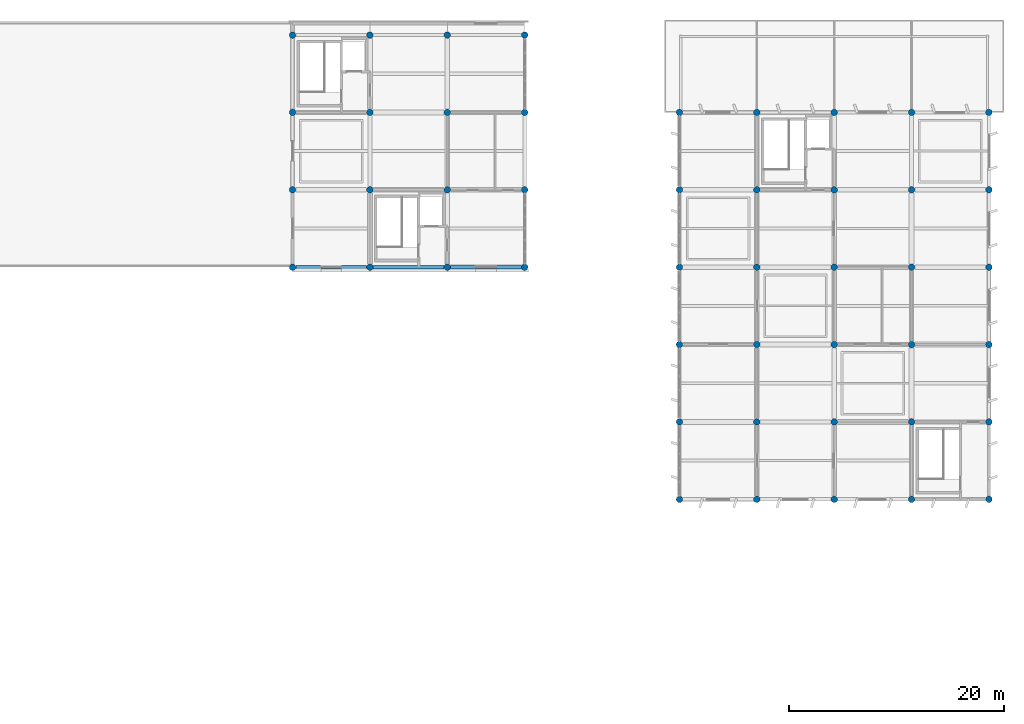
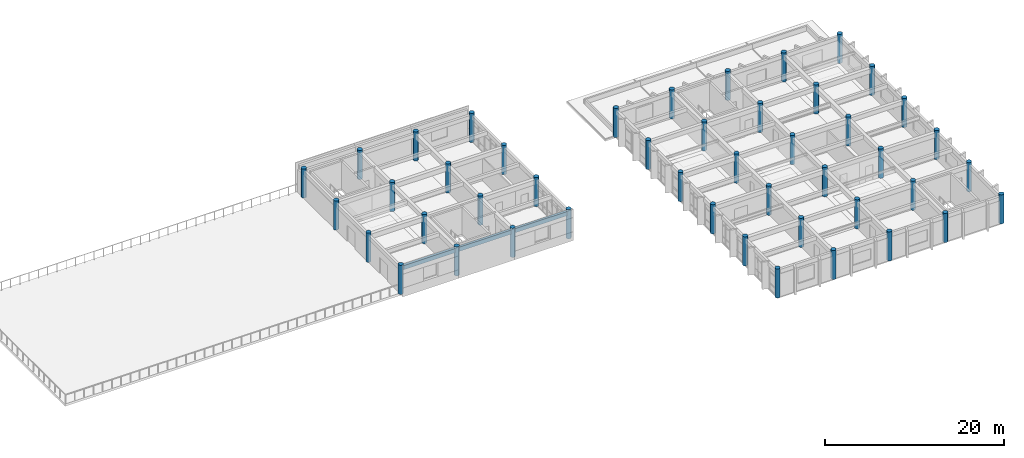
# One storey, part 1 of 16: 46 columns, 3 beams.
"""IFC4 building model written with IfcOpenShell, lengths in metres."""

from ifc_helpers import new_model, si_unit, direction, frame, origin, origin_2d, place, context, subcontext, project, spatial, rectangle, circle, extrude, material, material_profile, profile_set, type_object, element, save


model = new_model("IFC4")

# Units and contexts
model_context = context("Model", 3, precision=1e-05, world=origin(), true_north=direction((0.0, 1.0)))
body_context = subcontext(model_context, "Body", "Model", "MODEL_VIEW")
ifc_project = project(units=[si_unit("LENGTHUNIT", "METRE"), si_unit("AREAUNIT", "SQUARE_METRE"), si_unit("VOLUMEUNIT", "CUBIC_METRE"), si_unit("PLANEANGLEUNIT", "RADIAN"), si_unit("MASSUNIT", "GRAM", prefix="KILO")], contexts=[model_context])

# Site, building, storey
site_placement = place(None, origin())
site = spatial("IfcSite", under=ifc_project, at=site_placement, CompositionType="ELEMENT")
building_placement = place(site_placement, origin())
building = spatial("IfcBuilding", under=site, at=building_placement, Name="Kavelor Marine Aquarium", CompositionType="ELEMENT")
storey_placement = place(building_placement, frame((0.0, 0.0, 21.60009765625)))
storey = spatial("IfcBuildingStorey", under=building, at=storey_placement, Name="L05", CompositionType="ELEMENT", Elevation=21.60009765625)

# Columns
ifc_material_1 = material(Name="Concrete C40/50", Category="concrete")
ifc_material_profile_1 = material_profile(ifc_material_1, circle(Radius=0.300048828125, at=origin_2d()), Name="RC-COL D600")
ifc_profile_set_1 = profile_set([ifc_material_profile_1], Name="Concrete C40/50")
column_type = type_object("IfcColumnType", Name="COL-C8", PredefinedType="COLUMN", material=ifc_profile_set_1)
for number, where, z_axis, x_axis, name in (
    (1, (82.39990234375, 89.199951171875, 0.0), (0.0, 0.0, 1.0), (1.0, 0.0, 0.0), "col:L05:11_12"),
    (2, (82.39990234375, 96.39990234375, 0.0), (0.0, 0.0, 1.0), (1.0, 0.0, 0.0), "col:L05:11_13"),
    (3, (82.39990234375, 103.60009765625, 0.0), (0.0, 0.0, 1.0), (1.0, 0.0, 0.0), "col:L05:11_14"),
    (4, (82.39990234375, 110.800048828125, 0.0), (0.0, 0.0, 1.0), (1.0, 0.0, 0.0), "col:L05:11_15"),
    (5, (89.60009765625, 89.199951171875, 0.0), (0.0, 0.0, 1.0), (1.0, 0.0, 0.0), "col:L05:12_12"),
    (6, (89.60009765625, 96.39990234375, 0.0), (0.0, 0.0, 1.0), (1.0, 0.0, 0.0), "col:L05:12_13"),
    (7, (89.60009765625, 103.60009765625, 0.0), (0.0, 0.0, 1.0), (1.0, 0.0, 0.0), "col:L05:12_14"),
    (8, (89.60009765625, 110.800048828125, 0.0), (0.0, 0.0, 1.0), (1.0, 0.0, 0.0), "col:L05:12_15"),
    (9, (96.800048828125, 89.199951171875, 0.0), (0.0, 0.0, 1.0), (1.0, 0.0, 0.0), "col:L05:13_12"),
    (10, (96.800048828125, 96.39990234375, 0.0), (0.0, 0.0, 1.0), (1.0, 0.0, 0.0), "col:L05:13_13"),
    (11, (96.800048828125, 103.60009765625, 0.0), (0.0, 0.0, 1.0), (1.0, 0.0, 0.0), "col:L05:13_14"),
    (12, (96.800048828125, 110.800048828125, 0.0), (0.0, 0.0, 1.0), (1.0, 0.0, 0.0), "col:L05:13_15"),
    (13, (104.0, 89.199951171875, 0.0), (0.0, 0.0, 1.0), (1.0, 0.0, 0.0), "col:L05:14_12"),
    (14, (104.0, 96.39990234375, 0.0), (0.0, 0.0, 1.0), (1.0, 0.0, 0.0), "col:L05:14_13"),
    (15, (104.0, 103.60009765625, 0.0), (0.0, 0.0, 1.0), (1.0, 0.0, 0.0), "col:L05:14_14"),
    (16, (104.0, 110.800048828125, 0.0), (0.0, 0.0, 1.0), (1.0, 0.0, 0.0), "col:L05:14_15"),
    (17, (118.39990234375, 67.60009765625, 0.0), (0.0, 0.0, 1.0), (1.0, 0.0, 0.0), "col:L05:16_09"),
    (18, (118.39990234375, 74.800048828125, 0.0), (0.0, 0.0, 1.0), (1.0, 0.0, 0.0), "col:L05:16_10"),
    (19, (118.39990234375, 82.0, 0.0), (0.0, 0.0, 1.0), (1.0, 0.0, 0.0), "col:L05:16_11"),
    (20, (118.39990234375, 89.199951171875, 0.0), (0.0, 0.0, 1.0), (1.0, 0.0, 0.0), "col:L05:16_12"),
    (21, (118.39990234375, 96.39990234375, 0.0), (0.0, 0.0, 1.0), (1.0, 0.0, 0.0), "col:L05:16_13"),
    (22, (118.39990234375, 103.60009765625, 0.0), (0.0, 0.0, 1.0), (1.0, 0.0, 0.0), "col:L05:16_14"),
    (23, (125.60009765625, 67.60009765625, 0.0), (0.0, 0.0, 1.0), (1.0, 0.0, 0.0), "col:L05:17_09"),
    (24, (125.60009765625, 74.800048828125, 0.0), (0.0, 0.0, 1.0), (1.0, 0.0, 0.0), "col:L05:17_10"),
    (25, (125.60009765625, 82.0, 0.0), (0.0, 0.0, 1.0), (1.0, 0.0, 0.0), "col:L05:17_11"),
    (26, (125.60009765625, 89.199951171875, 0.0), (0.0, 0.0, 1.0), (1.0, 0.0, 0.0), "col:L05:17_12"),
    (27, (125.60009765625, 96.39990234375, 0.0), (0.0, 0.0, 1.0), (1.0, 0.0, 0.0), "col:L05:17_13"),
    (28, (125.60009765625, 103.60009765625, 0.0), (0.0, 0.0, 1.0), (1.0, 0.0, 0.0), "col:L05:17_14"),
    (29, (132.800048828125, 67.60009765625, 0.0), (0.0, 0.0, 1.0), (1.0, 0.0, 0.0), "col:L05:18_09"),
    (30, (132.800048828125, 74.800048828125, 0.0), (0.0, 0.0, 1.0), (1.0, 0.0, 0.0), "col:L05:18_10"),
    (31, (132.800048828125, 82.0, 0.0), (0.0, 0.0, 1.0), (1.0, 0.0, 0.0), "col:L05:18_11"),
    (32, (132.800048828125, 89.199951171875, 0.0), (0.0, 0.0, 1.0), (1.0, 0.0, 0.0), "col:L05:18_12"),
    (33, (132.800048828125, 96.39990234375, 0.0), (0.0, 0.0, 1.0), (1.0, 0.0, 0.0), "col:L05:18_13"),
    (34, (132.800048828125, 103.60009765625, 0.0), (0.0, 0.0, 1.0), (1.0, 0.0, 0.0), "col:L05:18_14"),
    (35, (140.0, 67.60009765625, 0.0), (0.0, 0.0, 1.0), (1.0, 0.0, 0.0), "col:L05:19_09"),
    (36, (140.0, 74.800048828125, 0.0), (0.0, 0.0, 1.0), (1.0, 0.0, 0.0), "col:L05:19_10"),
    (37, (140.0, 82.0, 0.0), (0.0, 0.0, 1.0), (1.0, 0.0, 0.0), "col:L05:19_11"),
    (38, (140.0, 89.199951171875, 0.0), (0.0, 0.0, 1.0), (1.0, 0.0, 0.0), "col:L05:19_12"),
    (39, (140.0, 96.39990234375, 0.0), (0.0, 0.0, 1.0), (1.0, 0.0, 0.0), "col:L05:19_13"),
    (40, (140.0, 103.60009765625, 0.0), (0.0, 0.0, 1.0), (1.0, 0.0, 0.0), "col:L05:19_14"),
    (41, (147.199951171875, 67.60009765625, 0.0), (0.0, 0.0, 1.0), (1.0, 0.0, 0.0), "col:L05:20_09"),
    (42, (147.199951171875, 74.800048828125, 0.0), (0.0, 0.0, 1.0), (1.0, 0.0, 0.0), "col:L05:20_10"),
    (43, (147.199951171875, 82.0, 0.0), (0.0, 0.0, 1.0), (1.0, 0.0, 0.0), "col:L05:20_11"),
    (44, (147.199951171875, 89.199951171875, 0.0), (0.0, 0.0, 1.0), (1.0, 0.0, 0.0), "col:L05:20_12"),
    (45, (147.199951171875, 96.39990234375, 0.0), (0.0, 0.0, 1.0), (1.0, 0.0, 0.0), "col:L05:20_13"),
    (46, (147.199951171875, 103.60009765625, 0.0), (0.0, 0.0, 1.0), (1.0, 0.0, 0.0), "col:L05:20_14"),
):
    element("IfcColumn", number, at=place(storey_placement, frame(where, z_axis=z_axis, x_axis=x_axis)), inside=storey, type_object=column_type, Name=name, PredefinedType="COLUMN", context=body_context, shape_type="SweptSolid", body=[
        extrude(circle(Radius=0.300048828125, at=origin_2d()), origin(), (0.0, 0.0, 1.0), 3.9599609375),
    ])

# Beams
ifc_material_2 = material(Name="Concrete C40/50", Category="concrete")
ifc_material_profile_2 = material_profile(ifc_material_2, rectangle(XDim=0.300048828125, YDim=0.550048828125, at=origin_2d()), Name="RC-SP 300x550")
ifc_profile_set_2 = profile_set([ifc_material_profile_2], Name="Concrete C40/50")
beam_type = type_object("IfcBeamType", Name="BM-SP2", PredefinedType="SPANDREL", material=ifc_profile_set_2)
for number, where, z_axis, x_axis, name in (
    (47, (82.699951171875, 89.199951171875, 3.40478515625), (1.0, 0.0, 0.0), (0.0, 1.0, 0.0), "bm:x:L05:RF:11_12"),
    (48, (89.89990234375, 89.199951171875, 3.40478515625), (1.0, 0.0, 0.0), (0.0, 1.0, 0.0), "bm:x:L05:RF:12_12"),
):
    element("IfcBeam", number, at=place(storey_placement, frame(where, z_axis=z_axis, x_axis=x_axis)), inside=storey, type_object=beam_type, Name=name, PredefinedType="SPANDREL", context=body_context, shape_type="SweptSolid", body=[
        extrude(rectangle(XDim=0.300048828125, YDim=0.550048828125, at=origin_2d()), origin(), (0.0, 0.0, 1.0), 6.60009765625),
    ])
beam_placement = place(storey_placement, frame((97.10009765625, 89.199951171875, 3.40478515625), z_axis=(1.0, 0.0, 0.0), x_axis=(0.0, 1.0, 0.0)))
element("IfcBeam", 49, at=beam_placement, inside=storey, type_object=beam_type, Name="bm:x:L05:RF:13_12", PredefinedType="SPANDREL", context=body_context, shape_type="SweptSolid", body=[
    extrude(rectangle(XDim=0.300048828125, YDim=0.550048828125, at=origin_2d()), origin(), (0.0, 0.0, 1.0), 6.599853515625),
])

save(model, "model.ifc")
